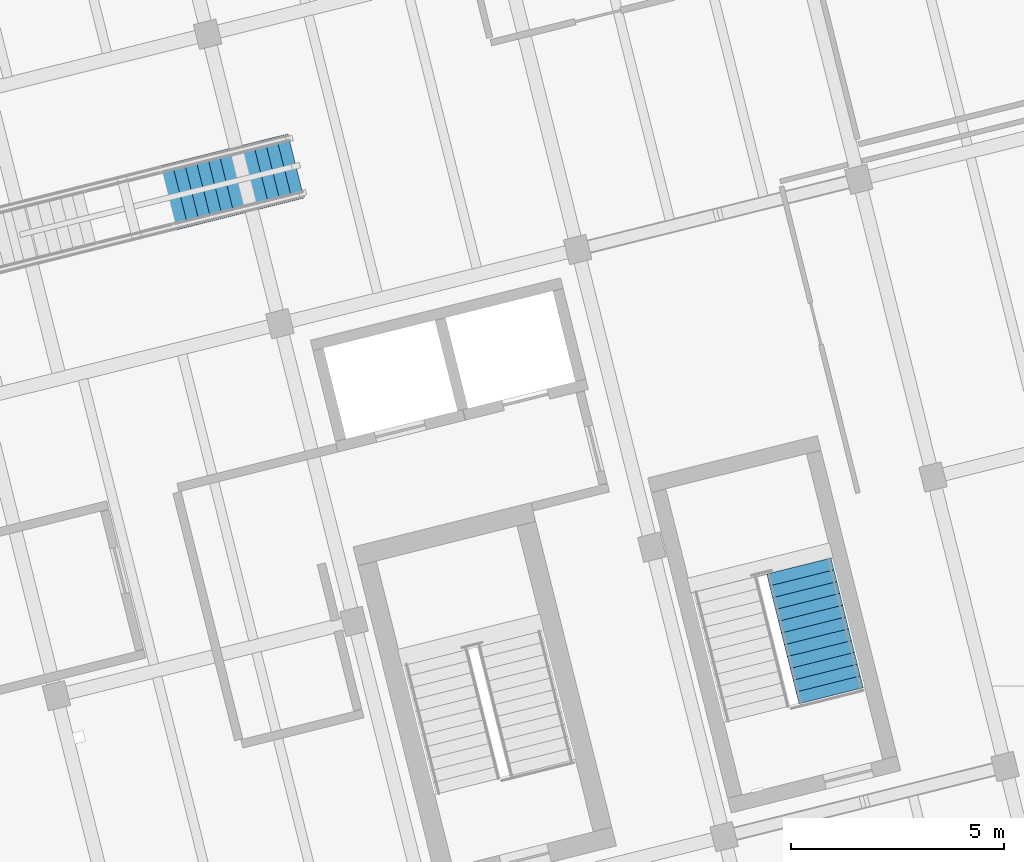
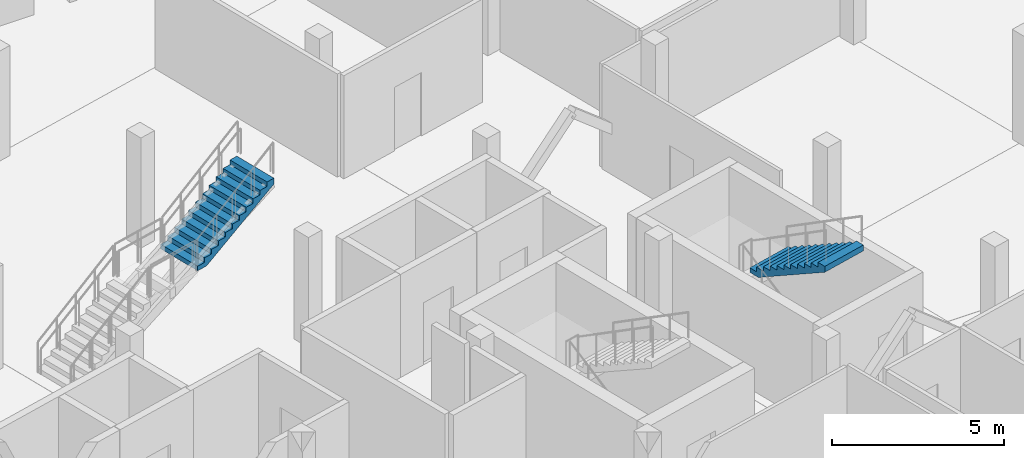
# One storey, part 44 of 47: 2 stair flights, 2 elements without a shape of their own.
"""IFC4 building model written with IfcOpenShell, lengths in metres."""

from ifc_helpers import new_model, si_unit, direction, frame, origin, place, context, subcontext, project, spatial, polyline, outline, extrude, material, type_object, element, aggregate, save


model = new_model("IFC4")

# Units and contexts
model_context = context("Model", 3, precision=1e-05, world=origin(), true_north=direction((0.0, 1.0)))
body_context = subcontext(model_context, "Body", "Model", "MODEL_VIEW")
ifc_project = project(units=[si_unit("LENGTHUNIT", "METRE"), si_unit("AREAUNIT", "SQUARE_METRE"), si_unit("VOLUMEUNIT", "CUBIC_METRE"), si_unit("PLANEANGLEUNIT", "RADIAN"), si_unit("MASSUNIT", "GRAM", prefix="KILO")], contexts=[model_context])

# Site, building, storey
site_placement = place(None, origin())
site = spatial("IfcSite", under=ifc_project, at=site_placement, CompositionType="ELEMENT")
building_placement = place(site_placement, origin())
building = spatial("IfcBuilding", under=site, at=building_placement, Name="Meriwether Solvik Hall", CompositionType="ELEMENT")
storey_placement = place(building_placement, frame((0.0, 0.0, 18.300048828125)))
storey = spatial("IfcBuildingStorey", under=building, at=storey_placement, Name="L04", CompositionType="ELEMENT", Elevation=18.300048828125)

# Stair, stair flight
ifc_material_1 = material(Name="Glulam Douglas-Fir 24F-V8 GL28h", Category="wood")
stair_type_1 = type_object("IfcStairType", Name="STR-OPEN-EDU", PredefinedType="TWO_STRAIGHT_RUN_STAIR", material=ifc_material_1)
stair_1_placement = place(storey_placement, origin())
stair_1 = element("IfcStair", 1, at=stair_1_placement, inside=storey, type_object=stair_type_1, Name="Architectural Stair ST-ED2 (L04-L05)", PredefinedType="TWO_STRAIGHT_RUN_STAIR")
ifc_material_2 = material(Name="Glulam Douglas-Fir 24F-V8 GL28h", Category="wood")
stair_flight_type_1 = type_object("IfcStairFlightType", Name="SFL-GL-155", PredefinedType="STRAIGHT", material=ifc_material_2)
stair_flight_1_placement = place(storey_placement, frame((82.25341796875, 69.854248046875, 1.949951171875), z_axis=(0.0, 0.0, 1.0), x_axis=(0.970295726276, 0.2419218956, 0.0)))
stair_flight_1 = element("IfcStairFlight", 2, at=stair_flight_1_placement, type_object=stair_flight_type_1, Name="Stair ST-ED2 Upper Flight", NumberOfRisers=12, NumberOfTreads=11, PredefinedType="STRAIGHT", RiserHeight=0.1625, TreadLength=0.28, context=body_context, shape_type="SweptSolid", body=[
    extrude(outline(polyline([(0.0, 0.0), (0.0, 0.16259765625), (0.280029296875, 0.16259765625), (0.280029296875, 0.324951171875), (0.56005859375, 0.324951171875), (0.56005859375, 0.487548828125), (0.840087890625, 0.487548828125), (0.840087890625, 0.64990234375), (1.1201171875, 0.64990234375), (1.1201171875, 0.8125), (1.39990234375, 0.8125), (1.39990234375, 0.97509765625), (1.679931640625, 0.97509765625), (1.679931640625, 1.137451171875), (1.9599609375, 1.137451171875), (1.9599609375, 1.300048828125), (2.239990234375, 1.300048828125), (2.239990234375, 1.46240234375), (2.52001953125, 1.46240234375), (2.52001953125, 1.625), (2.800048828125, 1.625), (2.800048828125, 1.78759765625), (3.080078125, 1.78759765625), (3.080078125, 1.949951171875), (3.080078125, 1.579345703125), (0.3583984375, 0.0), (0.0, 0.0)])), frame((0.0, 0.77490234375, 0.0), z_axis=(0.0, -1.0, 0.0), x_axis=(1.0, 0.0, 0.0)), (0.0, 0.0, 1.0), 1.550048828125),
])
aggregate(stair_1, [stair_flight_1])

ifc_material_3 = material(Name="Concrete C40/50", Category="concrete")
stair_type_2 = type_object("IfcStairType", Name="STR-CORE-DOGLEG-A", PredefinedType="TWO_STRAIGHT_RUN_STAIR", material=ifc_material_3)
stair_2_placement = place(storey_placement, origin())
stair_2 = element("IfcStair", 3, at=stair_2_placement, inside=storey, type_object=stair_type_2, Name="Exit Stair ST-03 (L04)", PredefinedType="TWO_STRAIGHT_RUN_STAIR")
ifc_material_4 = material(Name="Concrete C40/50", Category="concrete")
stair_flight_type_2 = type_object("IfcStairFlightType", Name="SFL-RC-156", PredefinedType="STRAIGHT", material=ifc_material_4)
stair_flight_2_placement = place(storey_placement, frame((97.0439453125, 61.210693359375, 1.949951171875), z_axis=(0.0, 0.0, 1.0), x_axis=(0.2419218956, -0.970295726276, 0.0)))
stair_flight_2 = element("IfcStairFlight", 4, at=stair_flight_2_placement, type_object=stair_flight_type_2, Name="Stair ST-03 Upper Flight (L04)", NumberOfRisers=12, NumberOfTreads=11, PredefinedType="STRAIGHT", RiserHeight=0.1625, TreadLength=0.285, context=body_context, shape_type="SweptSolid", body=[
    extrude(outline(polyline([(0.0, 0.0), (0.0, 0.16259765625), (0.284912109375, 0.16259765625), (0.284912109375, 0.324951171875), (0.570068359375, 0.324951171875), (0.570068359375, 0.487548828125), (0.85498046875, 0.487548828125), (0.85498046875, 0.64990234375), (1.139892578125, 0.64990234375), (1.139892578125, 0.8125), (1.425048828125, 0.8125), (1.425048828125, 0.97509765625), (1.7099609375, 0.97509765625), (1.7099609375, 1.137451171875), (1.9951171875, 1.137451171875), (1.9951171875, 1.300048828125), (2.280029296875, 1.300048828125), (2.280029296875, 1.46240234375), (2.56494140625, 1.46240234375), (2.56494140625, 1.625), (2.85009765625, 1.625), (2.85009765625, 1.78759765625), (3.135009765625, 1.78759765625), (3.135009765625, 1.949951171875), (3.135009765625, 1.580322265625), (0.36328125, 0.0), (0.0, 0.0)])), frame((0.0, 0.780029296875, 0.0), z_axis=(0.0, -1.0, 0.0), x_axis=(1.0, 0.0, 0.0)), (0.0, 0.0, 1.0), 1.56005859375),
])
aggregate(stair_2, [stair_flight_2])

save(model, "model.ifc")
